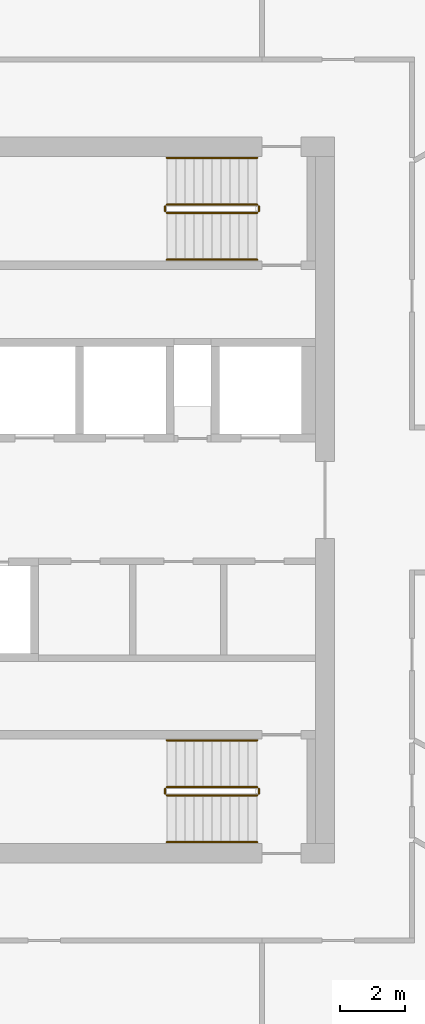
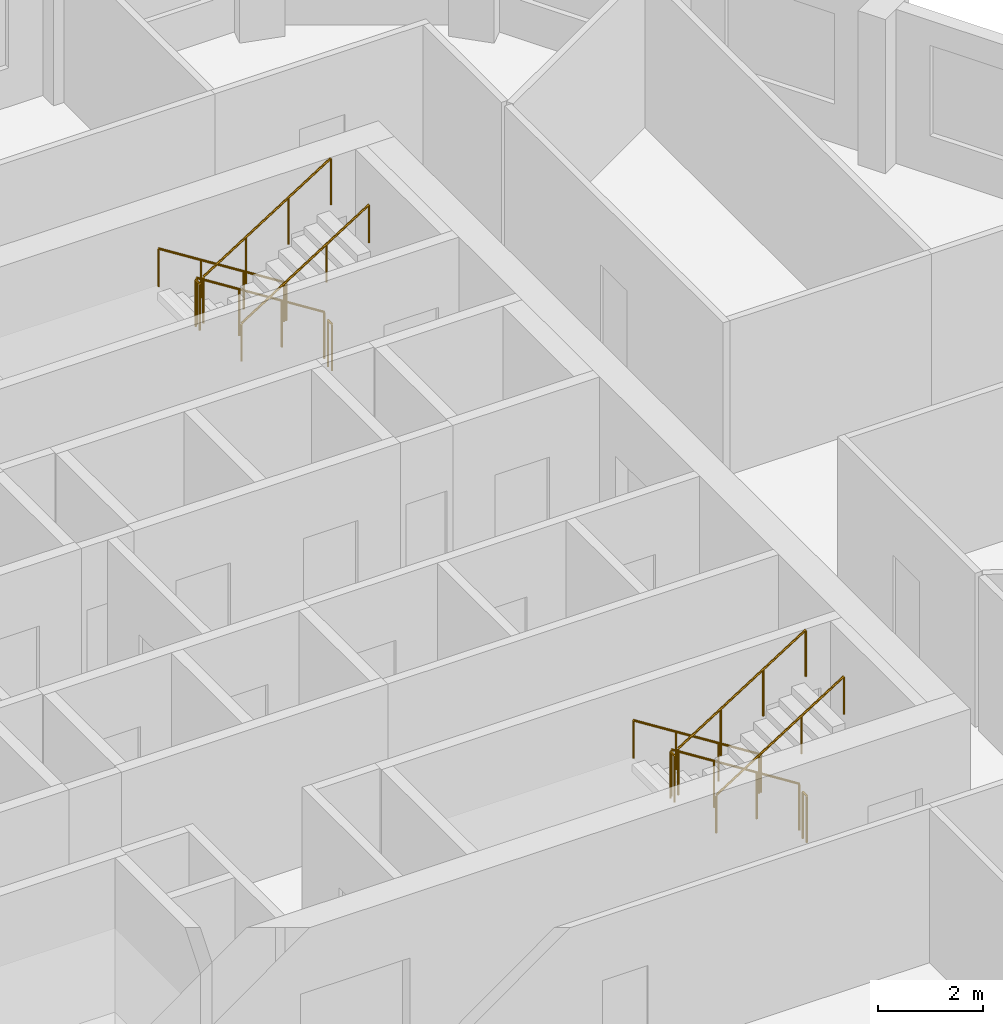
# One storey, part 9 of 9: 12 railings.
"""IFC4 building model written with IfcOpenShell, lengths in metres."""

from ifc_helpers import new_model, si_unit, direction, frame, origin, origin_2d, place, context, subcontext, project, spatial, circle, extrude, material, type_object, element, save


model = new_model("IFC4")

# Units and contexts
model_context = context("Model", 3, precision=1e-05, world=origin(), true_north=direction((0.0, 1.0)))
body_context = subcontext(model_context, "Body", "Model", "MODEL_VIEW")
ifc_project = project(units=[si_unit("LENGTHUNIT", "METRE"), si_unit("AREAUNIT", "SQUARE_METRE"), si_unit("VOLUMEUNIT", "CUBIC_METRE"), si_unit("PLANEANGLEUNIT", "RADIAN"), si_unit("MASSUNIT", "GRAM", prefix="KILO")], contexts=[model_context])

# Site, building, storey
site_placement = place(None, origin())
site = spatial("IfcSite", under=ifc_project, at=site_placement, CompositionType="ELEMENT")
building_placement = place(site_placement, origin())
building = spatial("IfcBuilding", under=site, at=building_placement, Name="Dhurran Vertical Campus", CompositionType="ELEMENT")
storey_placement = place(building_placement, frame((0.0, 0.0, 290.39990234375)))
storey = spatial("IfcBuildingStorey", under=building, at=storey_placement, Name="L72", CompositionType="ELEMENT", Elevation=290.39990234375)

# Railings
ifc_material_1 = material(Name="Stainless steel balustrade", Category="steel")
railing_type_1 = type_object("IfcRailingType", Name="co-RL-GUARD-1100", PredefinedType="GUARDRAIL", material=ifc_material_1)
railing_1_placement = place(storey_placement, frame((11.10009765625, 9.14990234375, 0.177490234375)))
element("IfcRailing", 1, at=railing_1_placement, inside=storey, type_object=railing_type_1, Name="L72 ST2 stair guard 1", PredefinedType="GUARDRAIL", context=body_context, shape_type="SweptSolid", body=[
    extrude(circle(Radius=0.02392578125, at=origin_2d()), frame((0.0, 0.0, 1.076171875), z_axis=(-0.844908973607, 0.0, 0.534910110503), x_axis=(0.0, -1.0, 0.0)), (0.0, 0.0, 1.0), 3.31396484375),
    extrude(circle(Radius=0.02099609375, at=origin_2d()), origin(), (0.0, 0.0, 1.0), 1.052001953125),
    extrude(circle(Radius=0.02099609375, at=origin_2d()), frame((-0.933349609375, 0.0, 0.5908203125)), (0.0, 0.0, 1.0), 1.052001953125),
    extrude(circle(Radius=0.02099609375, at=origin_2d()), frame((-1.86669921875, 0.0, 1.181884765625)), (0.0, 0.0, 1.0), 1.052001953125),
    extrude(circle(Radius=0.02099609375, at=origin_2d()), frame((-2.800048828125, 0.0, 1.772705078125)), (0.0, 0.0, 1.0), 1.052001953125),
])
railing_2_placement = place(storey_placement, frame((8.25, 9.10009765625, 1.9501953125)))
element("IfcRailing", 2, at=railing_2_placement, inside=storey, type_object=railing_type_1, Name="L72 ST2 stair guard 2", PredefinedType="GUARDRAIL", context=body_context, shape_type="SweptSolid", body=[
    extrude(circle(Radius=0.02392578125, at=origin_2d()), frame((0.0, 0.0, 1.076171875), z_axis=(0.0, -1.0, 0.0), x_axis=(1.0, 0.0, 0.0)), (0.0, 0.0, 1.0), 0.150146484375),
    extrude(circle(Radius=0.02099609375, at=origin_2d()), origin(), (0.0, 0.0, 1.0), 1.052001953125),
    extrude(circle(Radius=0.02099609375, at=origin_2d()), frame((0.0, -0.150146484375, 0.0)), (0.0, 0.0, 1.0), 1.052001953125),
])
railing_3_placement = place(storey_placement, frame((8.300048828125, 8.89990234375, 2.12744140625)))
element("IfcRailing", 3, at=railing_3_placement, inside=storey, type_object=railing_type_1, Name="L72 ST2 stair guard 3", PredefinedType="GUARDRAIL", context=body_context, shape_type="SweptSolid", body=[
    extrude(circle(Radius=0.02392578125, at=origin_2d()), frame((0.0, 0.0, 1.076171875), z_axis=(0.844908973607, 0.0, 0.534910110503), x_axis=(0.0, 1.0, 0.0)), (0.0, 0.0, 1.0), 3.31396484375),
    extrude(circle(Radius=0.02099609375, at=origin_2d()), origin(), (0.0, 0.0, 1.0), 1.052001953125),
    extrude(circle(Radius=0.02099609375, at=origin_2d()), frame((0.933349609375, 0.0, 0.5908203125)), (0.0, 0.0, 1.0), 1.052001953125),
    extrude(circle(Radius=0.02099609375, at=origin_2d()), frame((1.86669921875, 0.0, 1.181884765625)), (0.0, 0.0, 1.0), 1.052001953125),
    extrude(circle(Radius=0.02099609375, at=origin_2d()), frame((2.800048828125, 0.0, 1.772705078125)), (0.0, 0.0, 1.0), 1.052001953125),
])
railing_4_placement = place(storey_placement, frame((11.14990234375, 9.10009765625, 0.0)))
element("IfcRailing", 4, at=railing_4_placement, inside=storey, type_object=railing_type_1, Name="L72 ST2 stair guard 4", PredefinedType="GUARDRAIL", context=body_context, shape_type="SweptSolid", body=[
    extrude(circle(Radius=0.02392578125, at=origin_2d()), frame((0.0, 0.0, 1.076171875), z_axis=(0.0, -1.0, 0.0), x_axis=(1.0, 0.0, 0.0)), (0.0, 0.0, 1.0), 0.150146484375),
    extrude(circle(Radius=0.02099609375, at=origin_2d()), origin(), (0.0, 0.0, 1.0), 1.052001953125),
    extrude(circle(Radius=0.02099609375, at=origin_2d()), frame((0.0, -0.150146484375, 0.0)), (0.0, 0.0, 1.0), 1.052001953125),
])
railing_5_placement = place(storey_placement, frame((11.10009765625, -8.89990234375, 0.177490234375)))
element("IfcRailing", 5, at=railing_5_placement, inside=storey, type_object=railing_type_1, Name="L72 ST4 stair guard 1", PredefinedType="GUARDRAIL", context=body_context, shape_type="SweptSolid", body=[
    extrude(circle(Radius=0.02392578125, at=origin_2d()), frame((0.0, 0.0, 1.076171875), z_axis=(-0.844908973607, 0.0, 0.534910110503), x_axis=(0.0, -1.0, 0.0)), (0.0, 0.0, 1.0), 3.31396484375),
    extrude(circle(Radius=0.02099609375, at=origin_2d()), origin(), (0.0, 0.0, 1.0), 1.052001953125),
    extrude(circle(Radius=0.02099609375, at=origin_2d()), frame((-0.933349609375, 0.0, 0.5908203125)), (0.0, 0.0, 1.0), 1.052001953125),
    extrude(circle(Radius=0.02099609375, at=origin_2d()), frame((-1.86669921875, 0.0, 1.181884765625)), (0.0, 0.0, 1.0), 1.052001953125),
    extrude(circle(Radius=0.02099609375, at=origin_2d()), frame((-2.800048828125, 0.0, 1.772705078125)), (0.0, 0.0, 1.0), 1.052001953125),
])
railing_6_placement = place(storey_placement, frame((8.25, -8.949951171875, 1.9501953125)))
element("IfcRailing", 6, at=railing_6_placement, inside=storey, type_object=railing_type_1, Name="L72 ST4 stair guard 2", PredefinedType="GUARDRAIL", context=body_context, shape_type="SweptSolid", body=[
    extrude(circle(Radius=0.02392578125, at=origin_2d()), frame((0.0, 0.0, 1.076171875), z_axis=(0.0, -1.0, 0.0), x_axis=(1.0, 0.0, 0.0)), (0.0, 0.0, 1.0), 0.150146484375),
    extrude(circle(Radius=0.02099609375, at=origin_2d()), origin(), (0.0, 0.0, 1.0), 1.052001953125),
    extrude(circle(Radius=0.02099609375, at=origin_2d()), frame((0.0, -0.150146484375, 0.0)), (0.0, 0.0, 1.0), 1.052001953125),
])
railing_7_placement = place(storey_placement, frame((8.300048828125, -9.14990234375, 2.12744140625)))
element("IfcRailing", 7, at=railing_7_placement, inside=storey, type_object=railing_type_1, Name="L72 ST4 stair guard 3", PredefinedType="GUARDRAIL", context=body_context, shape_type="SweptSolid", body=[
    extrude(circle(Radius=0.02392578125, at=origin_2d()), frame((0.0, 0.0, 1.076171875), z_axis=(0.844908973607, 0.0, 0.534910110503), x_axis=(0.0, 1.0, 0.0)), (0.0, 0.0, 1.0), 3.31396484375),
    extrude(circle(Radius=0.02099609375, at=origin_2d()), origin(), (0.0, 0.0, 1.0), 1.052001953125),
    extrude(circle(Radius=0.02099609375, at=origin_2d()), frame((0.933349609375, 0.0, 0.5908203125)), (0.0, 0.0, 1.0), 1.052001953125),
    extrude(circle(Radius=0.02099609375, at=origin_2d()), frame((1.86669921875, 0.0, 1.181884765625)), (0.0, 0.0, 1.0), 1.052001953125),
    extrude(circle(Radius=0.02099609375, at=origin_2d()), frame((2.800048828125, 0.0, 1.772705078125)), (0.0, 0.0, 1.0), 1.052001953125),
])
railing_8_placement = place(storey_placement, frame((11.14990234375, -8.949951171875, 0.0)))
element("IfcRailing", 8, at=railing_8_placement, inside=storey, type_object=railing_type_1, Name="L72 ST4 stair guard 4", PredefinedType="GUARDRAIL", context=body_context, shape_type="SweptSolid", body=[
    extrude(circle(Radius=0.02392578125, at=origin_2d()), frame((0.0, 0.0, 1.076171875), z_axis=(0.0, -1.0, 0.0), x_axis=(1.0, 0.0, 0.0)), (0.0, 0.0, 1.0), 0.150146484375),
    extrude(circle(Radius=0.02099609375, at=origin_2d()), origin(), (0.0, 0.0, 1.0), 1.052001953125),
    extrude(circle(Radius=0.02099609375, at=origin_2d()), frame((0.0, -0.150146484375, 0.0)), (0.0, 0.0, 1.0), 1.052001953125),
])
ifc_material_2 = material(Name="Stainless steel handrail", Category="steel")
railing_type_2 = type_object("IfcRailingType", Name="co-RL-HANDRAIL-900", PredefinedType="HANDRAIL", material=ifc_material_2)
railing_9_placement = place(storey_placement, frame((11.10009765625, 10.60009765625, 0.177490234375)))
element("IfcRailing", 9, at=railing_9_placement, inside=storey, type_object=railing_type_2, Name="L72 ST2 stair handrail 1", PredefinedType="HANDRAIL", context=body_context, shape_type="SweptSolid", body=[
    extrude(circle(Radius=0.02392578125, at=origin_2d()), frame((0.0, 0.0, 0.8759765625), z_axis=(-0.844908973607, 0.0, 0.534910110503), x_axis=(0.0, -1.0, 0.0)), (0.0, 0.0, 1.0), 3.31396484375),
    extrude(circle(Radius=0.02099609375, at=origin_2d()), origin(), (0.0, 0.0, 1.0), 0.851806640625),
    extrude(circle(Radius=0.02099609375, at=origin_2d()), frame((-0.933349609375, 0.0, 0.5908203125)), (0.0, 0.0, 1.0), 0.851806640625),
    extrude(circle(Radius=0.02099609375, at=origin_2d()), frame((-1.86669921875, 0.0, 1.181884765625)), (0.0, 0.0, 1.0), 0.851806640625),
    extrude(circle(Radius=0.02099609375, at=origin_2d()), frame((-2.800048828125, 0.0, 1.772705078125)), (0.0, 0.0, 1.0), 0.851806640625),
])
railing_10_placement = place(storey_placement, frame((8.300048828125, 7.449951171875, 2.12744140625)))
element("IfcRailing", 10, at=railing_10_placement, inside=storey, type_object=railing_type_2, Name="L72 ST2 stair handrail 2", PredefinedType="HANDRAIL", context=body_context, shape_type="SweptSolid", body=[
    extrude(circle(Radius=0.02392578125, at=origin_2d()), frame((0.0, 0.0, 0.8759765625), z_axis=(0.844908973607, 0.0, 0.534910110503), x_axis=(0.0, 1.0, 0.0)), (0.0, 0.0, 1.0), 3.31396484375),
    extrude(circle(Radius=0.02099609375, at=origin_2d()), origin(), (0.0, 0.0, 1.0), 0.851806640625),
    extrude(circle(Radius=0.02099609375, at=origin_2d()), frame((0.933349609375, 0.0, 0.5908203125)), (0.0, 0.0, 1.0), 0.851806640625),
    extrude(circle(Radius=0.02099609375, at=origin_2d()), frame((1.86669921875, 0.0, 1.181884765625)), (0.0, 0.0, 1.0), 0.851806640625),
    extrude(circle(Radius=0.02099609375, at=origin_2d()), frame((2.800048828125, 0.0, 1.772705078125)), (0.0, 0.0, 1.0), 0.851806640625),
])
railing_11_placement = place(storey_placement, frame((11.10009765625, -7.449951171875, 0.177490234375)))
element("IfcRailing", 11, at=railing_11_placement, inside=storey, type_object=railing_type_2, Name="L72 ST4 stair handrail 1", PredefinedType="HANDRAIL", context=body_context, shape_type="SweptSolid", body=[
    extrude(circle(Radius=0.02392578125, at=origin_2d()), frame((0.0, 0.0, 0.8759765625), z_axis=(-0.844908973607, 0.0, 0.534910110503), x_axis=(0.0, -1.0, 0.0)), (0.0, 0.0, 1.0), 3.31396484375),
    extrude(circle(Radius=0.02099609375, at=origin_2d()), origin(), (0.0, 0.0, 1.0), 0.851806640625),
    extrude(circle(Radius=0.02099609375, at=origin_2d()), frame((-0.933349609375, 0.0, 0.5908203125)), (0.0, 0.0, 1.0), 0.851806640625),
    extrude(circle(Radius=0.02099609375, at=origin_2d()), frame((-1.86669921875, 0.0, 1.181884765625)), (0.0, 0.0, 1.0), 0.851806640625),
    extrude(circle(Radius=0.02099609375, at=origin_2d()), frame((-2.800048828125, 0.0, 1.772705078125)), (0.0, 0.0, 1.0), 0.851806640625),
])
railing_12_placement = place(storey_placement, frame((8.300048828125, -10.60009765625, 2.12744140625)))
element("IfcRailing", 12, at=railing_12_placement, inside=storey, type_object=railing_type_2, Name="L72 ST4 stair handrail 2", PredefinedType="HANDRAIL", context=body_context, shape_type="SweptSolid", body=[
    extrude(circle(Radius=0.02392578125, at=origin_2d()), frame((0.0, 0.0, 0.8759765625), z_axis=(0.844908973607, 0.0, 0.534910110503), x_axis=(0.0, 1.0, 0.0)), (0.0, 0.0, 1.0), 3.31396484375),
    extrude(circle(Radius=0.02099609375, at=origin_2d()), origin(), (0.0, 0.0, 1.0), 0.851806640625),
    extrude(circle(Radius=0.02099609375, at=origin_2d()), frame((0.933349609375, 0.0, 0.5908203125)), (0.0, 0.0, 1.0), 0.851806640625),
    extrude(circle(Radius=0.02099609375, at=origin_2d()), frame((1.86669921875, 0.0, 1.181884765625)), (0.0, 0.0, 1.0), 0.851806640625),
    extrude(circle(Radius=0.02099609375, at=origin_2d()), frame((2.800048828125, 0.0, 1.772705078125)), (0.0, 0.0, 1.0), 0.851806640625),
])

save(model, "model.ifc")
